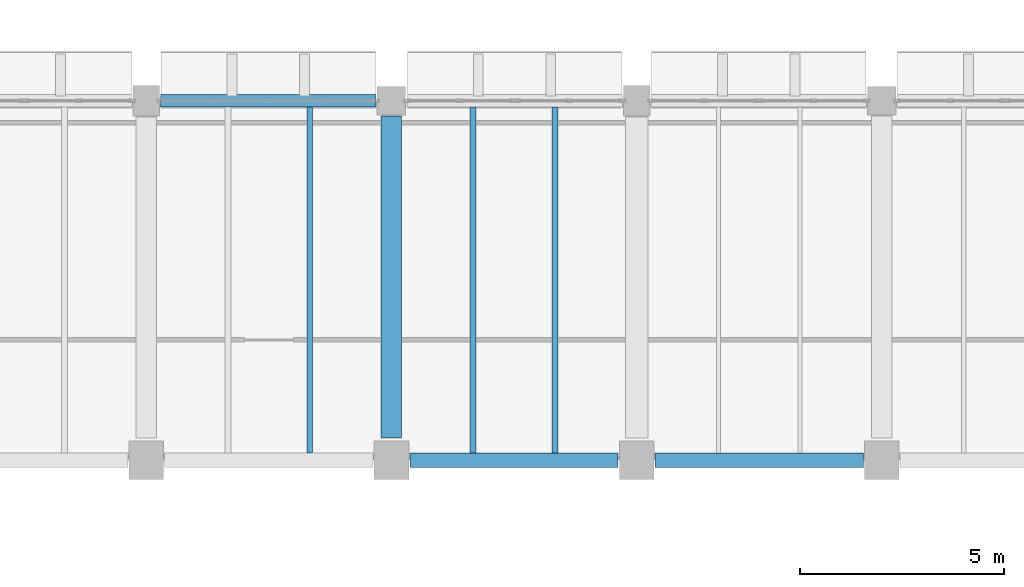
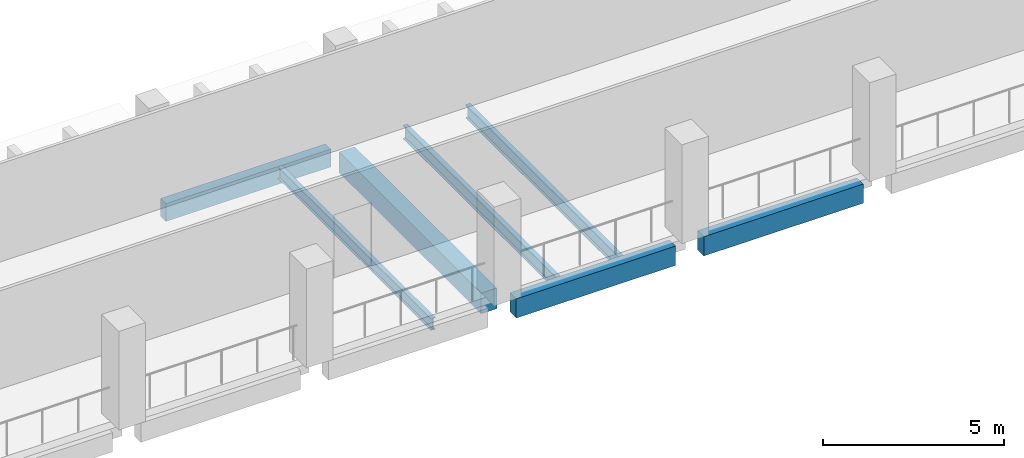
# One storey, part 34 of 75: 7 beams.
"""IFC4 building model written with IfcOpenShell, lengths in metres."""

from ifc_helpers import new_model, si_unit, direction, frame, origin, origin_2d, place, context, subcontext, project, spatial, rectangle, i_section, extrude, material, material_profile, profile_set, type_object, element, save


model = new_model("IFC4")

# Units and contexts
model_context = context("Model", 3, precision=1e-05, world=origin(), true_north=direction((0.0, 1.0)))
body_context = subcontext(model_context, "Body", "Model", "MODEL_VIEW")
ifc_project = project(units=[si_unit("LENGTHUNIT", "METRE"), si_unit("AREAUNIT", "SQUARE_METRE"), si_unit("VOLUMEUNIT", "CUBIC_METRE"), si_unit("PLANEANGLEUNIT", "RADIAN"), si_unit("MASSUNIT", "GRAM", prefix="KILO")], contexts=[model_context])

# Site, building, storey
site_placement = place(None, origin())
site = spatial("IfcSite", under=ifc_project, at=site_placement, CompositionType="ELEMENT")
building_placement = place(site_placement, origin())
building = spatial("IfcBuilding", under=site, at=building_placement, Name="Varnakota Cinema and Media Centre", CompositionType="ELEMENT")
storey_placement = place(building_placement, frame((0.0, 0.0, 8.39990234375)))
storey = spatial("IfcBuildingStorey", under=building, at=storey_placement, Name="L02", CompositionType="ELEMENT", Elevation=8.39990234375)

# Beams
ifc_material_1 = material(Name="Concrete M35", Category="concrete")
ifc_material_profile_1 = material_profile(ifc_material_1, rectangle(XDim=0.5, YDim=0.699951171875, at=origin_2d()), Name="RCB 500x700")
ifc_profile_set_1 = profile_set([ifc_material_profile_1], Name="Concrete M35")
beam_type_1 = type_object("IfcBeamType", Name="BM-RC-500x700", PredefinedType="BEAM", material=ifc_profile_set_1)
beam_1_placement = place(storey_placement, frame((99.0, 35.75, -0.599853515625), z_axis=(0.0, 1.0, 0.0), x_axis=(-1.0, 0.0, 0.0)))
element("IfcBeam", 1, at=beam_1_placement, inside=storey, type_object=beam_type_1, Name="L02 girder P/5-6", PredefinedType="BEAM", context=body_context, shape_type="SweptSolid", body=[
    extrude(rectangle(XDim=0.5, YDim=0.699951171875, at=origin_2d()), origin(), (0.0, 0.0, 1.0), 7.875),
])
ifc_material_2 = material(Name="Concrete M35", Category="concrete")
ifc_material_profile_2 = material_profile(ifc_material_2, rectangle(XDim=0.300048828125, YDim=0.60009765625, at=origin_2d()), Name="RCB 300x600")
ifc_profile_set_2 = profile_set([ifc_material_profile_2], Name="Concrete M35")
beam_type_2 = type_object("IfcBeamType", Name="BM-SP-300x600", PredefinedType="SPANDREL", material=ifc_profile_set_2)
beam_2_placement = place(storey_placement, frame((93.35009765625, 44.0, -0.5498046875), z_axis=(1.0, 0.0, 0.0), x_axis=(0.0, 1.0, 0.0)))
element("IfcBeam", 2, at=beam_2_placement, inside=storey, type_object=beam_type_2, Name="L02 girder N-P/6", PredefinedType="SPANDREL", context=body_context, shape_type="SweptSolid", body=[
    extrude(rectangle(XDim=0.300048828125, YDim=0.60009765625, at=origin_2d()), origin(), (0.0, 0.0, 1.0), 5.27490234375),
])
ifc_material_3 = material(Name="Concrete M40", Category="concrete")
ifc_material_profile_3 = material_profile(ifc_material_3, rectangle(XDim=0.35009765625, YDim=0.64990234375, at=origin_2d()), Name="RCB 350x650")
ifc_profile_set_3 = profile_set([ifc_material_profile_3], Name="Concrete M40")
beam_type_3 = type_object("IfcBeamType", Name="BM-SP-350x650", PredefinedType="SPANDREL", material=ifc_profile_set_3)
for number, where, z_axis, x_axis, name in (
    (3, (99.449951171875, 35.199951171875, -0.574951171875), (1.0, 0.0, 0.0), (0.0, 1.0, 0.0), "L02 girder P-Q/5"),
    (4, (105.449951171875, 35.199951171875, -0.574951171875), (1.0, 0.0, 0.0), (0.0, 1.0, 0.0), "L02 girder Q-R/5"),
):
    element("IfcBeam", number, at=place(storey_placement, frame(where, z_axis=z_axis, x_axis=x_axis)), inside=storey, type_object=beam_type_3, Name=name, PredefinedType="SPANDREL", context=body_context, shape_type="SweptSolid", body=[
        extrude(rectangle(XDim=0.35009765625, YDim=0.64990234375, at=origin_2d()), origin(), (0.0, 0.0, 1.0), 5.10009765625),
    ])
ifc_material_4 = material(Name="Structural steel Grade 350 (E350)", Category="steel")
ifc_material_profile_4 = material_profile(ifc_material_4, i_section(OverallWidth=0.139892578125, OverallDepth=0.39990234375, WebThickness=0.0087890625, FlangeThickness=0.01611328125, FilletRadius=0.013916015625, at=origin_2d()), Name="ISMB 400")
ifc_profile_set_4 = profile_set([ifc_material_profile_4], Name="Structural steel Grade 350 (E350)")
beam_type_4 = type_object("IfcBeamType", Name="BM-ST-ISMB400", PredefinedType="JOIST", material=ifc_profile_set_4)
beam_3_placement = place(storey_placement, frame((97.0, 35.375, -0.449951171875), z_axis=(0.0, 1.0, 0.0), x_axis=(-1.0, 0.0, 0.0)))
element("IfcBeam", 5, at=beam_3_placement, inside=storey, type_object=beam_type_4, Name="L02 steel joist N-P/5-6 #2", PredefinedType="JOIST", context=body_context, shape_type="SweptSolid", body=[
    extrude(i_section(OverallWidth=0.139892578125, OverallDepth=0.39990234375, WebThickness=0.0087890625, FlangeThickness=0.01611328125, FilletRadius=0.013916015625, at=origin_2d()), origin(), (0.0, 0.0, 1.0), 8.47509765625),
])
ifc_material_5 = material(Name="Structural steel Grade 350 (E350)", Category="steel")
ifc_material_profile_5 = material_profile(ifc_material_5, i_section(OverallWidth=0.14990234375, OverallDepth=0.449951171875, WebThickness=0.009521484375, FlangeThickness=0.017333984375, FilletRadius=0.014892578125, at=origin_2d()), Name="ISMB 450")
ifc_profile_set_5 = profile_set([ifc_material_profile_5], Name="Structural steel Grade 350 (E350)")
beam_type_5 = type_object("IfcBeamType", Name="BM-ST-ISMB450", PredefinedType="BEAM", material=ifc_profile_set_5)
for number, where, z_axis, x_axis, name in (
    (6, (101.0, 35.375, -0.474853515625), (0.0, 1.0, 0.0), (-1.0, 0.0, 0.0), "L02 steel joist P-Q/5-6 #1"),
    (7, (103.0, 35.375, -0.474853515625), (0.0, 1.0, 0.0), (-1.0, 0.0, 0.0), "L02 steel joist P-Q/5-6 #2"),
):
    element("IfcBeam", number, at=place(storey_placement, frame(where, z_axis=z_axis, x_axis=x_axis)), inside=storey, type_object=beam_type_5, Name=name, PredefinedType="BEAM", context=body_context, shape_type="SweptSolid", body=[
        extrude(i_section(OverallWidth=0.14990234375, OverallDepth=0.449951171875, WebThickness=0.009521484375, FlangeThickness=0.017333984375, FilletRadius=0.014892578125, at=origin_2d()), origin(), (0.0, 0.0, 1.0), 8.47509765625),
    ])

save(model, "model.ifc")
